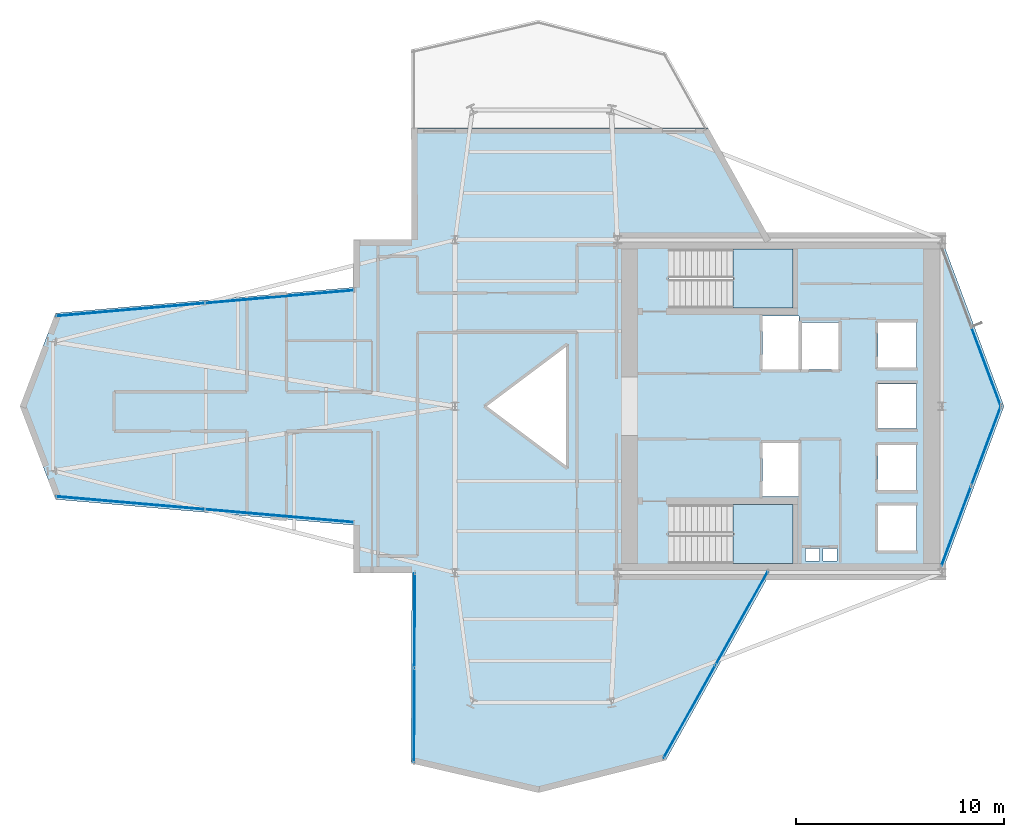
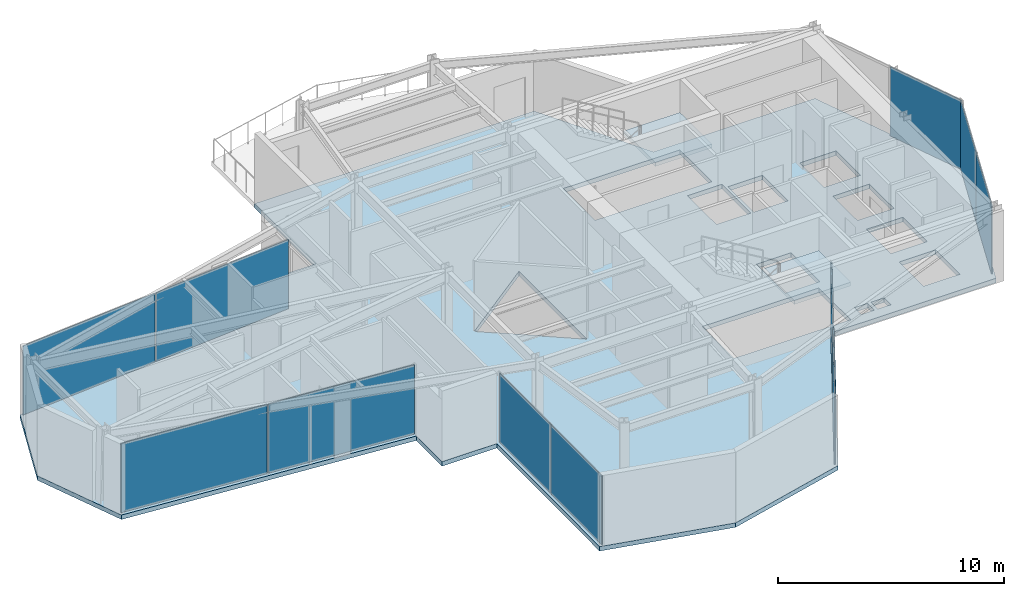
# One storey, part 17 of 23: 11 plates, 3 slabs, 8 elements without a shape of their own.
"""IFC4 building model written with IfcOpenShell, lengths in metres."""

from ifc_helpers import new_model, si_unit, direction, frame, origin, origin_2d, place, context, subcontext, project, spatial, polyline, rectangle, outline, extrude, material, layer, layer_set, type_object, element, aggregate, save


model = new_model("IFC4")

# Units and contexts
model_context = context("Model", 3, precision=1e-05, world=origin(), true_north=direction((0.0, 1.0)))
body_context = subcontext(model_context, "Body", "Model", "MODEL_VIEW")
ifc_project = project(units=[si_unit("LENGTHUNIT", "METRE"), si_unit("AREAUNIT", "SQUARE_METRE"), si_unit("VOLUMEUNIT", "CUBIC_METRE"), si_unit("PLANEANGLEUNIT", "RADIAN"), si_unit("MASSUNIT", "GRAM", prefix="KILO")], contexts=[model_context])

# Site, building, storey
site_placement = place(None, origin())
site = spatial("IfcSite", under=ifc_project, at=site_placement, CompositionType="ELEMENT")
building_placement = place(site_placement, origin())
building = spatial("IfcBuilding", under=site, at=building_placement, Name="Veymaron Broadcast Tower", CompositionType="ELEMENT")
storey_placement = place(building_placement, frame((0.0, 0.0, 161.39990234375)))
storey = spatial("IfcBuildingStorey", under=building, at=storey_placement, Name="L37", CompositionType="ELEMENT", Elevation=161.39990234375)

# Curtain wall, plates
ifc_material_1 = material(Name="Anodised aluminium AA 6063-T6 and laminated low-E dark glass", Category="aluminium")
ifc_layer_1 = layer(ifc_material_1, 0.179931640625)
ifc_layer_set_1 = layer_set([ifc_layer_1], Name="Anodised aluminium AA 6063-T6 and laminated low-E dark glass")
curtain_wall_type = type_object("IfcCurtainWallType", Name="CW-SYS-03", PredefinedType="NOTDEFINED", material=ifc_layer_set_1)
curtain_wall_1_placement = place(storey_placement, origin())
curtain_wall_1 = element("IfcCurtainWall", 1, at=curtain_wall_1_placement, inside=storey, type_object=curtain_wall_type, Name="L37 dark-glass curtain wall CW-L37-E1-1", PredefinedType="NOTDEFINED")
ifc_material_2 = material(Name="Insulated dark-anodised aluminium spandrel panel 40 mm", Category="aluminium")
ifc_layer_2 = layer(ifc_material_2, 0.0400390625)
ifc_layer_set_2 = layer_set([ifc_layer_2], Name="Insulated dark-anodised aluminium spandrel panel 40 mm")
plate_type = type_object("IfcPlateType", Name="CW-PNL-03", PredefinedType="CURTAIN_PANEL", material=ifc_layer_set_2)
plate_1_placement = place(storey_placement, frame((42.4638671875, 9.315185546875, 0.0400390625), z_axis=(0.0, 0.0, 1.0), x_axis=(0.487219642818, 0.873279462516, 0.0)))
plate_1 = element("IfcPlate", 2, at=plate_1_placement, type_object=plate_type, Name="CW-L37-E1-1 unitised curtain panel 0", PredefinedType="CURTAIN_PANEL", context=body_context, shape_type="SweptSolid", body=[
    extrude(rectangle(XDim=5.09521484375, YDim=0.0400390625, at=origin_2d()), origin(), (0.0, 0.0, 1.0), 3.72998046875),
])
plate_2_placement = place(storey_placement, frame((44.9755859375, 13.817138671875, 0.0400390625), z_axis=(0.0, 0.0, 1.0), x_axis=(0.487219642818, 0.873279462516, 0.0)))
plate_2 = element("IfcPlate", 3, at=plate_2_placement, type_object=plate_type, Name="CW-L37-E1-1 unitised curtain panel 1", PredefinedType="CURTAIN_PANEL", context=body_context, shape_type="SweptSolid", body=[
    extrude(rectangle(XDim=5.09521484375, YDim=0.0400390625, at=origin_2d()), origin(), (0.0, 0.0, 1.0), 3.72998046875),
])
aggregate(curtain_wall_1, [plate_1, plate_2])

curtain_wall_2_placement = place(storey_placement, origin())
curtain_wall_2 = element("IfcCurtainWall", 4, at=curtain_wall_2_placement, inside=storey, type_object=curtain_wall_type, Name="L37 dark-glass curtain wall CW-L37-E3-1", PredefinedType="NOTDEFINED")
plate_3_placement = place(storey_placement, frame((55.28466796875, 18.23779296875, 0.0400390625), z_axis=(0.0, 0.0, 1.0), x_axis=(0.349275371331, 0.937020125174, 0.0)))
plate_3 = element("IfcPlate", 5, at=plate_3_placement, type_object=plate_type, Name="CW-L37-E3-1 unitised curtain panel 0", PredefinedType="CURTAIN_PANEL", context=body_context, shape_type="SweptSolid", body=[
    extrude(rectangle(XDim=4.074462890625, YDim=0.0400390625, at=origin_2d()), origin(), (0.0, 0.0, 1.0), 3.72998046875),
])
plate_4_placement = place(storey_placement, frame((56.728759765625, 22.11181640625, 0.0400390625), z_axis=(0.0, 0.0, 1.0), x_axis=(0.349275371331, 0.937020125174, 0.0)))
plate_4 = element("IfcPlate", 6, at=plate_4_placement, type_object=plate_type, Name="CW-L37-E3-1 unitised curtain panel 1", PredefinedType="CURTAIN_PANEL", context=body_context, shape_type="SweptSolid", body=[
    extrude(rectangle(XDim=4.074462890625, YDim=0.0400390625, at=origin_2d()), origin(), (0.0, 0.0, 1.0), 3.72998046875),
])
aggregate(curtain_wall_2, [plate_3, plate_4])

# Curtain wall, plate
curtain_wall_3_placement = place(storey_placement, origin())
curtain_wall_3 = element("IfcCurtainWall", 7, at=curtain_wall_3_placement, inside=storey, type_object=curtain_wall_type, Name="L37 dark-glass curtain wall CW-L37-E4-1", PredefinedType="NOTDEFINED")
plate_5_placement = place(storey_placement, frame((56.728759765625, 25.88818359375, 0.0400390625), z_axis=(0.0, 0.0, 1.0), x_axis=(-0.349275371331, 0.937020125174, 0.0)))
plate_5 = element("IfcPlate", 8, at=plate_5_placement, type_object=plate_type, Name="CW-L37-E4-1 unitised curtain panel 0", PredefinedType="CURTAIN_PANEL", context=body_context, shape_type="SweptSolid", body=[
    extrude(rectangle(XDim=4.074462890625, YDim=0.0400390625, at=origin_2d()), origin(), (0.0, 0.0, 1.0), 3.72998046875),
])
aggregate(curtain_wall_3, [plate_5])

# Curtain wall, plates
curtain_wall_4_placement = place(storey_placement, origin())
curtain_wall_4 = element("IfcCurtainWall", 9, at=curtain_wall_4_placement, inside=storey, type_object=curtain_wall_type, Name="L37 dark-glass curtain wall CW-L37-E11-1", PredefinedType="NOTDEFINED")
plate_6_placement = place(storey_placement, frame((22.758056640625, 29.26611328125, 0.0400390625), z_axis=(0.0, 0.0, 1.0), x_axis=(-0.996274893071, -0.086234201085, 0.0)))
plate_6 = element("IfcPlate", 10, at=plate_6_placement, type_object=plate_type, Name="CW-L37-E11-1 unitised curtain panel 0", PredefinedType="CURTAIN_PANEL", context=body_context, shape_type="SweptSolid", body=[
    extrude(rectangle(XDim=7.130859375, YDim=0.0400390625, at=origin_2d()), origin(), (0.0, 0.0, 1.0), 3.72998046875),
])
plate_7_placement = place(storey_placement, frame((15.593994140625, 28.64599609375, 0.0400390625), z_axis=(0.0, 0.0, 1.0), x_axis=(-0.996274893071, -0.086234201085, 0.0)))
plate_7 = element("IfcPlate", 11, at=plate_7_placement, type_object=plate_type, Name="CW-L37-E11-1 unitised curtain panel 1", PredefinedType="CURTAIN_PANEL", context=body_context, shape_type="SweptSolid", body=[
    extrude(rectangle(XDim=7.130859375, YDim=0.0400390625, at=origin_2d()), origin(), (0.0, 0.0, 1.0), 3.72998046875),
])
aggregate(curtain_wall_4, [plate_6, plate_7])

curtain_wall_5_placement = place(storey_placement, origin())
curtain_wall_5 = element("IfcCurtainWall", 12, at=curtain_wall_5_placement, inside=storey, type_object=curtain_wall_type, Name="L37 dark-glass curtain wall CW-L37-E14-1", PredefinedType="NOTDEFINED")
plate_8_placement = place(storey_placement, frame((15.593994140625, 19.35400390625, 0.0400390625), z_axis=(0.0, 0.0, 1.0), x_axis=(0.996274893071, -0.086234201085, 0.0)))
plate_8 = element("IfcPlate", 13, at=plate_8_placement, type_object=plate_type, Name="CW-L37-E14-1 unitised curtain panel 0", PredefinedType="CURTAIN_PANEL", context=body_context, shape_type="SweptSolid", body=[
    extrude(rectangle(XDim=7.130859375, YDim=0.0400390625, at=origin_2d()), origin(), (0.0, 0.0, 1.0), 3.72998046875),
])
plate_9_placement = place(storey_placement, frame((22.758056640625, 18.73388671875, 0.0400390625), z_axis=(0.0, 0.0, 1.0), x_axis=(0.996274893071, -0.086234201085, 0.0)))
plate_9 = element("IfcPlate", 14, at=plate_9_placement, type_object=plate_type, Name="CW-L37-E14-1 unitised curtain panel 1", PredefinedType="CURTAIN_PANEL", context=body_context, shape_type="SweptSolid", body=[
    extrude(rectangle(XDim=7.130859375, YDim=0.0400390625, at=origin_2d()), origin(), (0.0, 0.0, 1.0), 3.72998046875),
])
aggregate(curtain_wall_5, [plate_8, plate_9])

curtain_wall_6_placement = place(storey_placement, origin())
curtain_wall_6 = element("IfcCurtainWall", 15, at=curtain_wall_6_placement, inside=storey, type_object=curtain_wall_type, Name="L37 dark-glass curtain wall CW-L37-E17-1", PredefinedType="NOTDEFINED")
plate_10_placement = place(storey_placement, frame((29.253662109375, 13.712890625, 0.0400390625), z_axis=(0.0, 0.0, 1.0), x_axis=(-0.004642559133, -0.999989223264, 0.0)))
plate_10 = element("IfcPlate", 16, at=plate_10_placement, type_object=plate_type, Name="CW-L37-E17-1 unitised curtain panel 0", PredefinedType="CURTAIN_PANEL", context=body_context, shape_type="SweptSolid", body=[
    extrude(rectangle(XDim=4.512939453125, YDim=0.0400390625, at=origin_2d()), origin(), (0.0, 0.0, 1.0), 3.72998046875),
])
plate_11_placement = place(storey_placement, frame((29.232421875, 9.139892578125, 0.0400390625), z_axis=(0.0, 0.0, 1.0), x_axis=(-0.004642559133, -0.999989223264, 0.0)))
plate_11 = element("IfcPlate", 17, at=plate_11_placement, type_object=plate_type, Name="CW-L37-E17-1 unitised curtain panel 1", PredefinedType="CURTAIN_PANEL", context=body_context, shape_type="SweptSolid", body=[
    extrude(rectangle(XDim=4.512939453125, YDim=0.0400390625, at=origin_2d()), origin(), (0.0, 0.0, 1.0), 3.72998046875),
])
aggregate(curtain_wall_6, [plate_10, plate_11])

# Slab
ifc_material_3 = material(Name="Concrete C40/50", Category="concrete")
ifc_layer_3 = layer(ifc_material_3, 0.239990234375)
ifc_layer_set_3 = layer_set([ifc_layer_3], Name="Concrete C40/50")
slab_type_1 = type_object("IfcSlabType", Name="SLAB-FS6", PredefinedType="FLOOR", material=ifc_layer_set_3)
slab_1_placement = place(storey_placement, frame((0.0, 0.0, -0.239990234375)))
element("IfcSlab", 18, at=slab_1_placement, inside=storey, type_object=slab_type_1, Name="L37 structural floor slab", PredefinedType="FLOOR", context=body_context, shape_type="SweptSolid", body=[
    extrude(outline(polyline([(41.330078125, 6.99609375), (46.353759765625, 16.0), (54.60009765625, 16.0), (57.58203125, 24.0), (54.60009765625, 32.0), (46.353759765625, 32.0), (43.35986328125, 37.365966796875), (29.099365234375, 37.365966796875), (29.124267578125, 32.0), (26.327880859375, 32.0), (26.327880859375, 29.715576171875), (12.0, 28.475341796875), (10.2958984375, 24.0), (12.0, 19.524658203125), (26.327880859375, 18.284423828125), (26.327880859375, 16.0), (29.124267578125, 16.0), (29.081787109375, 6.85400390625), (35.2060546875, 5.43408203125), (41.330078125, 6.99609375)]), holes=[polyline([(45.969970703125, 28.330078125), (47.72998046875, 28.330078125), (47.72998046875, 25.77001953125), (45.969970703125, 25.77001953125), (45.969970703125, 28.330078125)]), polyline([(45.969970703125, 22.22998046875), (47.72998046875, 22.22998046875), (47.72998046875, 19.669921875), (45.969970703125, 19.669921875), (45.969970703125, 22.22998046875)]), polyline([(47.8701171875, 28.030029296875), (49.6298828125, 28.030029296875), (49.6298828125, 25.77001953125), (47.8701171875, 25.77001953125), (47.8701171875, 28.030029296875)]), polyline([(51.52001953125, 28.030029296875), (53.3798828125, 28.030029296875), (53.3798828125, 25.8701171875), (51.52001953125, 25.8701171875), (51.52001953125, 28.030029296875)]), polyline([(51.52001953125, 22.1298828125), (53.3798828125, 22.1298828125), (53.3798828125, 19.969970703125), (51.52001953125, 19.969970703125), (51.52001953125, 22.1298828125)]), polyline([(51.52001953125, 25.080078125), (53.3798828125, 25.080078125), (53.3798828125, 22.919921875), (51.52001953125, 22.919921875), (51.52001953125, 25.080078125)]), polyline([(51.52001953125, 19.22998046875), (53.3798828125, 19.22998046875), (53.3798828125, 17.070068359375), (51.52001953125, 17.070068359375), (51.52001953125, 19.22998046875)]), polyline([(48.050048828125, 17.159912109375), (48.719970703125, 17.159912109375), (48.719970703125, 16.56005859375), (48.050048828125, 16.56005859375), (48.050048828125, 17.159912109375)]), polyline([(48.8798828125, 17.159912109375), (49.550048828125, 17.159912109375), (49.550048828125, 16.56005859375), (48.8798828125, 16.56005859375), (48.8798828125, 17.159912109375)]), polyline([(36.60009765625, 27.0), (36.60009765625, 21.0), (32.60009765625, 24.0), (36.60009765625, 27.0)]), polyline([(41.489990234375, 31.550048828125), (47.43994140625, 31.550048828125), (47.43994140625, 28.72998046875), (41.489990234375, 28.72998046875), (41.489990234375, 31.550048828125)]), polyline([(41.489990234375, 19.27001953125), (47.43994140625, 19.27001953125), (47.43994140625, 16.449951171875), (41.489990234375, 16.449951171875), (41.489990234375, 19.27001953125)])]), origin(), (0.0, 0.0, 1.0), 0.239990234375),
])

# Stair, slab
ifc_material_4 = material(Name="Concrete C50/60", Category="concrete")
stair_type_1 = type_object("IfcStairType", Name="STAIR-CORE-1", PredefinedType="HALF_TURN_STAIR", material=ifc_material_4)
stair_1_placement = place(storey_placement, origin())
stair_1 = element("IfcStair", 19, at=stair_1_placement, inside=storey, type_object=stair_type_1, Name="L37 North protected dog-leg exit stair ST1", PredefinedType="HALF_TURN_STAIR")
ifc_layer_4 = layer(ifc_material_4, 0.199951171875)
ifc_layer_set_4 = layer_set([ifc_layer_4], Name="Concrete C50/60")
slab_type_2 = type_object("IfcSlabType", Name="SLAB-STAIR-LDG", PredefinedType="LANDING", material=ifc_layer_set_4)
slab_2_placement = place(storey_placement, frame((0.0, 0.0, 1.8251953125)))
slab_2 = element("IfcSlab", 20, at=slab_2_placement, type_object=slab_type_2, Name="ST1 landing 1", PredefinedType="LANDING", context=body_context, shape_type="SweptSolid", body=[
    extrude(outline(polyline([(44.56494140625, 28.72998046875), (47.43994140625, 28.72998046875), (47.43994140625, 31.550048828125), (44.56494140625, 31.550048828125), (44.56494140625, 28.72998046875)])), origin(), (0.0, 0.0, 1.0), 0.199951171875),
])
aggregate(stair_1, [slab_2])

stair_type_2 = type_object("IfcStairType", Name="STAIR-CORE-2", PredefinedType="HALF_TURN_STAIR", material=ifc_material_4)
stair_2_placement = place(storey_placement, origin())
stair_2 = element("IfcStair", 21, at=stair_2_placement, inside=storey, type_object=stair_type_2, Name="L37 South protected dog-leg exit stair ST2", PredefinedType="HALF_TURN_STAIR")
slab_3_placement = place(storey_placement, frame((0.0, 0.0, 1.8251953125)))
slab_3 = element("IfcSlab", 22, at=slab_3_placement, type_object=slab_type_2, Name="ST2 landing 1", PredefinedType="LANDING", context=body_context, shape_type="SweptSolid", body=[
    extrude(outline(polyline([(44.56494140625, 16.449951171875), (47.43994140625, 16.449951171875), (47.43994140625, 19.27001953125), (44.56494140625, 19.27001953125), (44.56494140625, 16.449951171875)])), origin(), (0.0, 0.0, 1.0), 0.199951171875),
])
aggregate(stair_2, [slab_3])

save(model, "model.ifc")
